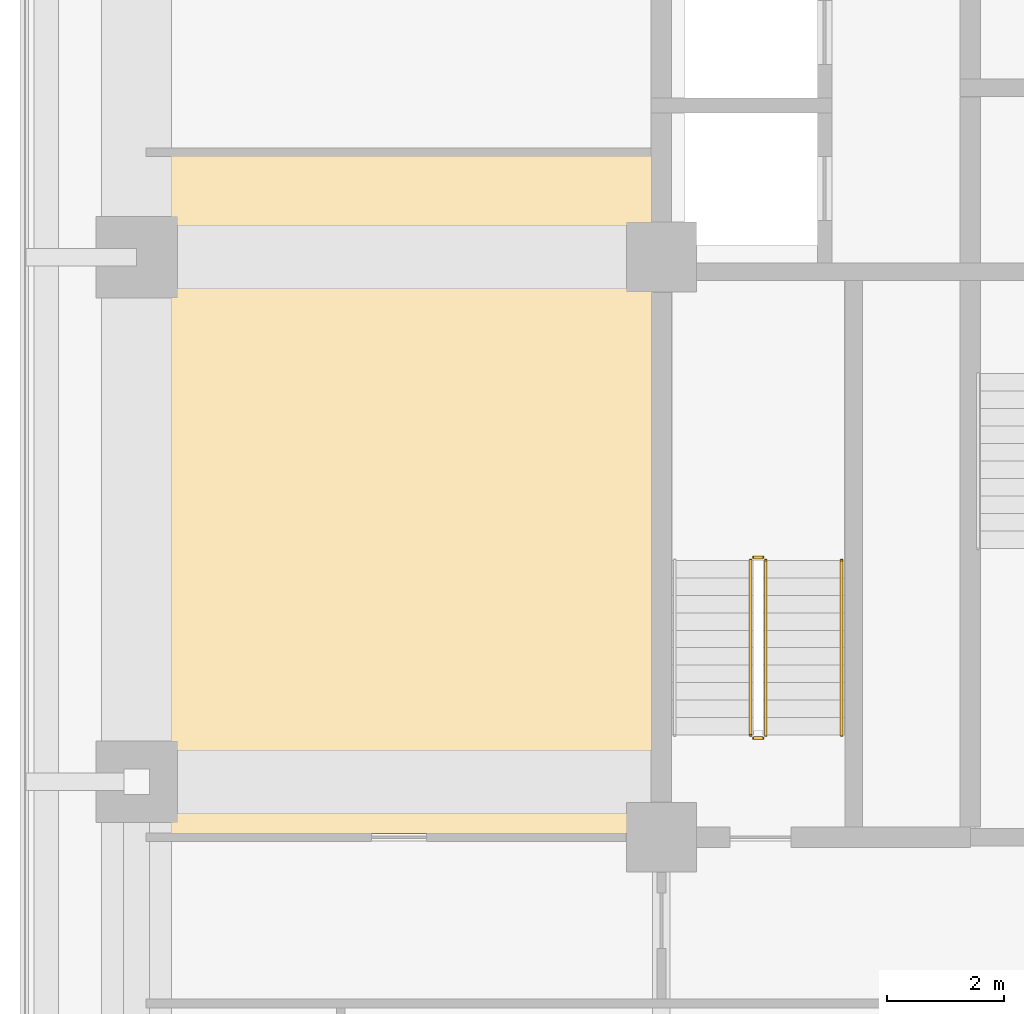
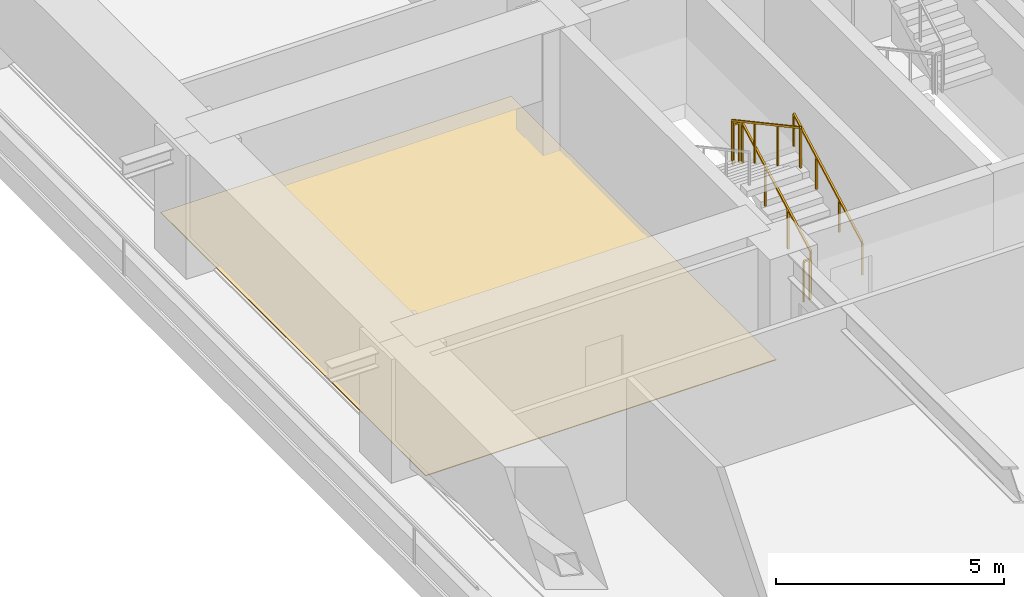
# One storey, part 11 of 18: 5 railings, 1 covering.
"""IFC4 building model written with IfcOpenShell, lengths in metres."""

from ifc_helpers import new_model, si_unit, direction, frame, origin, origin_2d, place, context, subcontext, project, spatial, polyline, rectangle, outline, extrude, material, layer, layer_set, type_object, element, save


model = new_model("IFC4")

# Units and contexts
model_context = context("Model", 3, precision=1e-05, world=origin(), true_north=direction((0.0, 1.0)))
body_context = subcontext(model_context, "Body", "Model", "MODEL_VIEW")
ifc_project = project(units=[si_unit("LENGTHUNIT", "METRE"), si_unit("AREAUNIT", "SQUARE_METRE"), si_unit("VOLUMEUNIT", "CUBIC_METRE"), si_unit("PLANEANGLEUNIT", "RADIAN"), si_unit("MASSUNIT", "GRAM", prefix="KILO")], contexts=[model_context])

# Site, building, storey
site_placement = place(None, origin())
site = spatial("IfcSite", under=ifc_project, at=site_placement, CompositionType="ELEMENT")
building_placement = place(site_placement, origin())
building = spatial("IfcBuilding", under=site, at=building_placement, Name="Zulmaris Gate Convention Tower", CompositionType="ELEMENT")
storey_placement = place(building_placement, frame((0.0, 0.0, 57.18994140625)))
storey = spatial("IfcBuildingStorey", under=building, at=storey_placement, Name="L13", CompositionType="ELEMENT", Elevation=57.18994140625)

# Covering
ifc_material_1 = material(Name="Woven Acoustic Wool Carpet Tile")
ifc_layer = layer(ifc_material_1, 0.02001953125, Name="Woven Acoustic Wool Carpet Tile")
ifc_layer_set = layer_set([ifc_layer], Name="Woven Acoustic Wool Carpet Tile")
covering_type = type_object("IfcCoveringType", Name="FLR-CARPET-12", PredefinedType="FLOORING", material=ifc_layer_set)
covering_placement = place(storey_placement, origin())
element("IfcCovering", 1, at=covering_placement, inside=storey, type_object=covering_type, Name="FLR-L13-R53", PredefinedType="FLOORING", context=body_context, shape_type="SweptSolid", body=[
    extrude(outline(polyline([(-28.93994140625, -9.889892578125), (-20.06005859375, -9.889892578125), (-20.06005859375, 1.739990234375), (-28.93994140625, 1.739990234375), (-28.93994140625, -9.889892578125)])), origin(), (0.0, 0.0, 1.0), 0.02001953125),
])

# Railings
ifc_material_2 = material(Name="Painted Galvanised Steel", Category="steel")
railing_type_1 = type_object("IfcRailingType", Name="RL-STG-1150", PredefinedType="GUARDRAIL", material=ifc_material_2)
railing_1_placement = place(storey_placement, frame((-18.2099609375, -8.199951171875, 0.162353515625)))
element("IfcRailing", 2, at=railing_1_placement, inside=storey, type_object=railing_type_1, Name="L13 ST-3 stair guard 1", PredefinedType="GUARDRAIL", context=body_context, shape_type="SweptSolid", body=[
    extrude(rectangle(XDim=0.048095703125, YDim=0.048095703125, at=origin_2d()), frame((0.0, 0.0, 1.076171875), z_axis=(0.0, 0.879591569277, 0.475729619907), x_axis=(-1.0, 0.0, 0.0)), (0.0, 0.0, 1.0), 3.41064453125),
    extrude(rectangle(XDim=0.0419921875, YDim=0.0419921875, at=origin_2d()), origin(), (0.0, 0.0, 1.0), 1.052001953125),
    extrude(rectangle(XDim=0.0419921875, YDim=0.0419921875, at=origin_2d()), frame((0.0, 1.0, 0.540771484375)), (0.0, 0.0, 1.0), 1.052001953125),
    extrude(rectangle(XDim=0.0419921875, YDim=0.0419921875, at=origin_2d()), frame((0.0, 2.0, 1.081787109375)), (0.0, 0.0, 1.0), 1.052001953125),
    extrude(rectangle(XDim=0.0419921875, YDim=0.0419921875, at=origin_2d()), frame((0.0, 3.0, 1.62255859375)), (0.0, 0.0, 1.0), 1.052001953125),
])
railing_2_placement = place(storey_placement, frame((-18.260009765625, -5.14990234375, 1.784912109375)))
element("IfcRailing", 3, at=railing_2_placement, inside=storey, type_object=railing_type_1, Name="L13 ST-3 stair guard 2", PredefinedType="GUARDRAIL", context=body_context, shape_type="SweptSolid", body=[
    extrude(rectangle(XDim=0.048095703125, YDim=0.048095703125, at=origin_2d()), frame((0.0, 0.0, 1.076171875), z_axis=(-1.0, 0.0, 0.0), x_axis=(0.0, -1.0, 0.0)), (0.0, 0.0, 1.0), 0.159912109375),
    extrude(rectangle(XDim=0.0419921875, YDim=0.0419921875, at=origin_2d()), origin(), (0.0, 0.0, 1.0), 1.052001953125),
    extrude(rectangle(XDim=0.0419921875, YDim=0.0419921875, at=origin_2d()), frame((-0.159912109375, 0.0, 0.0)), (0.0, 0.0, 1.0), 1.052001953125),
])
railing_3_placement = place(storey_placement, frame((-18.469970703125, -5.199951171875, 1.947265625)))
element("IfcRailing", 4, at=railing_3_placement, inside=storey, type_object=railing_type_1, Name="L13 ST-3 stair guard 3", PredefinedType="GUARDRAIL", context=body_context, shape_type="SweptSolid", body=[
    extrude(rectangle(XDim=0.048095703125, YDim=0.048095703125, at=origin_2d()), frame((0.0, 0.0, 1.076171875), z_axis=(0.0, -0.8795616155, 0.475784998228), x_axis=(1.0, 0.0, 0.0)), (0.0, 0.0, 1.0), 3.410888671875),
    extrude(rectangle(XDim=0.0419921875, YDim=0.0419921875, at=origin_2d()), origin(), (0.0, 0.0, 1.0), 1.052001953125),
    extrude(rectangle(XDim=0.0419921875, YDim=0.0419921875, at=origin_2d()), frame((0.0, -1.0, 0.541015625)), (0.0, 0.0, 1.0), 1.052001953125),
    extrude(rectangle(XDim=0.0419921875, YDim=0.0419921875, at=origin_2d()), frame((0.0, -2.0, 1.081787109375)), (0.0, 0.0, 1.0), 1.052001953125),
    extrude(rectangle(XDim=0.0419921875, YDim=0.0419921875, at=origin_2d()), frame((0.0, -3.0, 1.622802734375)), (0.0, 0.0, 1.0), 1.052001953125),
])
railing_4_placement = place(storey_placement, frame((-18.260009765625, -8.25, 0.0)))
element("IfcRailing", 5, at=railing_4_placement, inside=storey, type_object=railing_type_1, Name="L13 ST-3 stair guard 4", PredefinedType="GUARDRAIL", context=body_context, shape_type="SweptSolid", body=[
    extrude(rectangle(XDim=0.048095703125, YDim=0.048095703125, at=origin_2d()), frame((0.0, 0.0, 1.076171875), z_axis=(-1.0, 0.0, 0.0), x_axis=(0.0, -1.0, 0.0)), (0.0, 0.0, 1.0), 0.159912109375),
    extrude(rectangle(XDim=0.0419921875, YDim=0.0419921875, at=origin_2d()), origin(), (0.0, 0.0, 1.0), 1.052001953125),
    extrude(rectangle(XDim=0.0419921875, YDim=0.0419921875, at=origin_2d()), frame((-0.159912109375, 0.0, 0.0)), (0.0, 0.0, 1.0), 1.052001953125),
])
ifc_material_3 = material(Name="Brushed Stainless Steel", Category="steel")
railing_type_2 = type_object("IfcRailingType", Name="RL-STH-900", PredefinedType="HANDRAIL", material=ifc_material_3)
railing_5_placement = place(storey_placement, frame((-16.909912109375, -8.199951171875, 0.162353515625)))
element("IfcRailing", 6, at=railing_5_placement, inside=storey, type_object=railing_type_2, Name="L13 ST-3 stair handrail 1", PredefinedType="HANDRAIL", context=body_context, shape_type="SweptSolid", body=[
    extrude(rectangle(XDim=0.048095703125, YDim=0.048095703125, at=origin_2d()), frame((0.0, 0.0, 0.8759765625), z_axis=(0.0, 0.879591569277, 0.475729619907), x_axis=(-1.0, 0.0, 0.0)), (0.0, 0.0, 1.0), 3.41064453125),
    extrude(rectangle(XDim=0.0419921875, YDim=0.0419921875, at=origin_2d()), origin(), (0.0, 0.0, 1.0), 0.851806640625),
    extrude(rectangle(XDim=0.0419921875, YDim=0.0419921875, at=origin_2d()), frame((0.0, 1.0, 0.540771484375)), (0.0, 0.0, 1.0), 0.851806640625),
    extrude(rectangle(XDim=0.0419921875, YDim=0.0419921875, at=origin_2d()), frame((0.0, 2.0, 1.081787109375)), (0.0, 0.0, 1.0), 0.851806640625),
    extrude(rectangle(XDim=0.0419921875, YDim=0.0419921875, at=origin_2d()), frame((0.0, 3.0, 1.62255859375)), (0.0, 0.0, 1.0), 0.851806640625),
])

save(model, "model.ifc")
